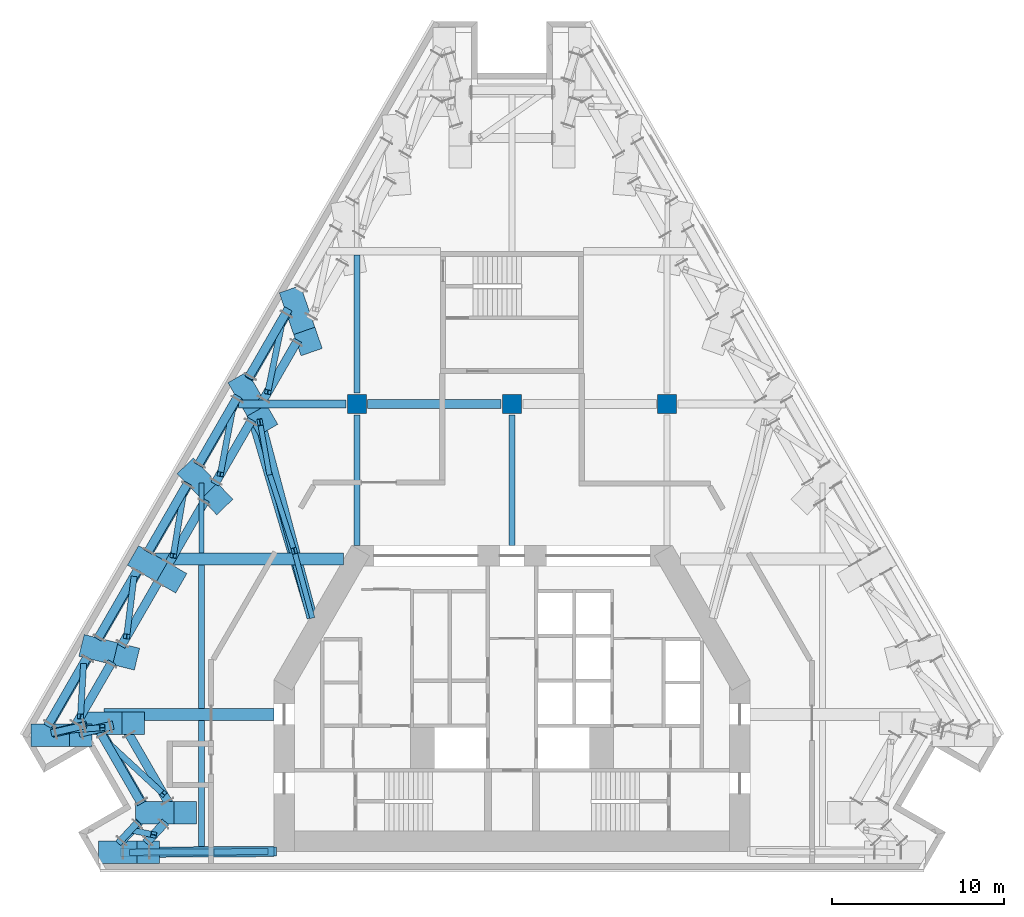
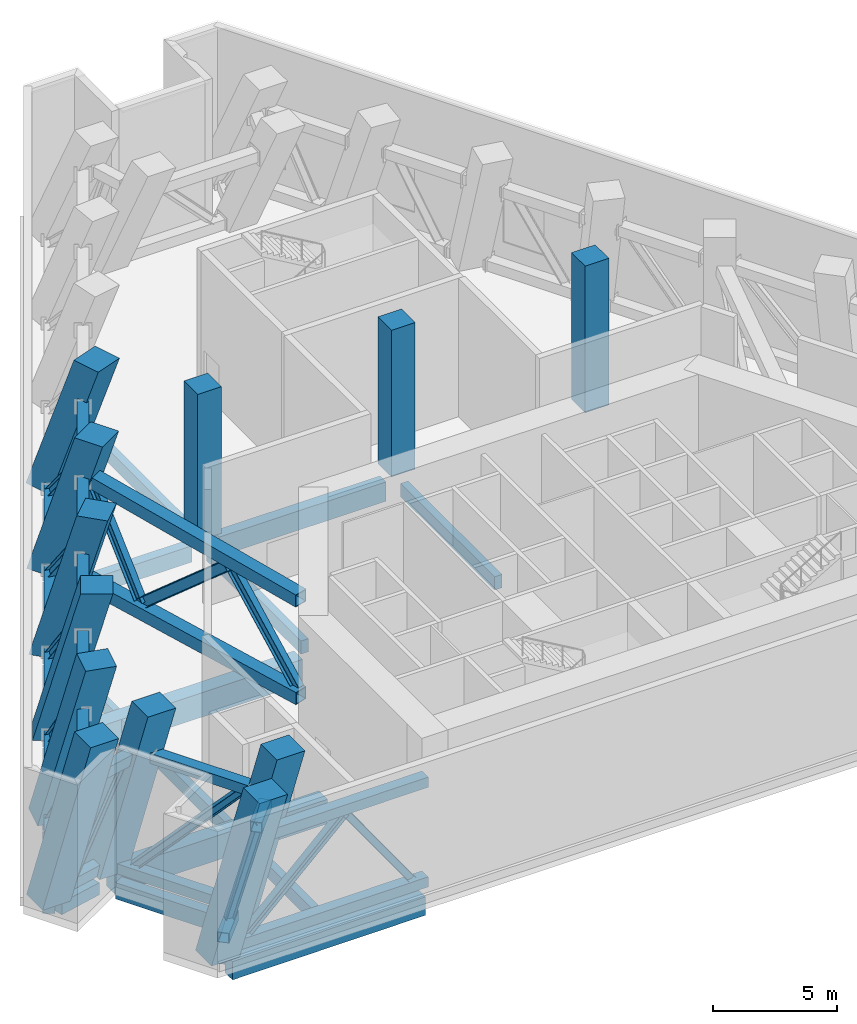
# One storey, part 1 of 13: 42 members, 19 beams, 3 columns.
"""IFC4 building model written with IfcOpenShell, lengths in metres."""

from ifc_helpers import new_model, si_unit, direction, frame, origin, origin_2d, place, context, subcontext, project, spatial, rectangle, hollow_rectangle, i_section, extrude, material, material_profile, profile_set, type_object, element, save


model = new_model("IFC4")

# Units and contexts
model_context = context("Model", 3, precision=1e-05, world=origin(), true_north=direction((0.0, 1.0)))
body_context = subcontext(model_context, "Body", "Model", "MODEL_VIEW")
ifc_project = project(units=[si_unit("LENGTHUNIT", "METRE"), si_unit("AREAUNIT", "SQUARE_METRE"), si_unit("VOLUMEUNIT", "CUBIC_METRE"), si_unit("PLANEANGLEUNIT", "RADIAN"), si_unit("MASSUNIT", "GRAM", prefix="KILO")], contexts=[model_context])

# Site, building, storey
site_placement = place(None, origin())
site = spatial("IfcSite", under=ifc_project, at=site_placement, CompositionType="ELEMENT")
building_placement = place(site_placement, origin())
building = spatial("IfcBuilding", under=site, at=building_placement, Name="Fogline Exchange Tower", CompositionType="ELEMENT")
storey_placement = place(building_placement, frame((0.0, 0.0, 174.89990234375)))
storey = spatial("IfcBuildingStorey", under=building, at=storey_placement, Name="L39", CompositionType="ELEMENT", Elevation=174.89990234375)

# Columns
ifc_material_1 = material(Name="Concrete C60", Category="concrete")
ifc_material_profile_1 = material_profile(ifc_material_1, rectangle(XDim=1.10009765625, YDim=1.10009765625, at=origin_2d()), Name="RC 1100x1100")
ifc_profile_set_1 = profile_set([ifc_material_profile_1], Name="Concrete C60")
column_type = type_object("IfcColumnType", Name="C05", PredefinedType="COLUMN", material=ifc_profile_set_1)
for number, where, z_axis, x_axis, name in (
    (1, (-9.0, 27.0, 0.0), (0.0, 0.0, 1.0), (1.0, 0.0, 0.0), "IC--9-27"),
    (2, (0.0, 27.0, 0.0), (0.0, 0.0, 1.0), (1.0, 0.0, 0.0), "IC-0-27"),
    (3, (9.0, 27.0, 0.0), (0.0, 0.0, 1.0), (1.0, 0.0, 0.0), "IC-9-27"),
):
    element("IfcColumn", number, at=place(storey_placement, frame(where, z_axis=z_axis, x_axis=x_axis)), inside=storey, type_object=column_type, Name=name, PredefinedType="COLUMN", context=body_context, shape_type="SweptSolid", body=[
        extrude(rectangle(XDim=1.10009765625, YDim=1.10009765625, at=origin_2d()), origin(), (0.0, 0.0, 1.0), 7.2001953125),
    ])

# Beams
ifc_material_2 = material(Name="Concrete C40", Category="concrete")
ifc_material_profile_2 = material_profile(ifc_material_2, rectangle(XDim=0.300048828125, YDim=0.60009765625, at=origin_2d()), Name="RC 300x600")
ifc_profile_set_2 = profile_set([ifc_material_profile_2], Name="Concrete C40")
beam_type_1 = type_object("IfcBeamType", Name="B06", PredefinedType="BEAM", material=ifc_profile_set_2)
beam_1_placement = place(storey_placement, frame((-18.0, 18.35009765625, -0.699951171875), z_axis=(0.0, 1.0, 0.0), x_axis=(-1.0, 0.0, 0.0)))
element("IfcBeam", 4, at=beam_1_placement, inside=storey, type_object=beam_type_1, Name="SB003", PredefinedType="BEAM", context=body_context, shape_type="SweptSolid", body=[
    extrude(rectangle(XDim=0.300048828125, YDim=0.60009765625, at=origin_2d()), origin(), (0.0, 0.0, 1.0), 4.070068359375),
])
ifc_material_profile_3 = material_profile(ifc_material_2, rectangle(XDim=0.60009765625, YDim=0.89990234375, at=origin_2d()), Name="RC 600x900")
ifc_profile_set_3 = profile_set([ifc_material_profile_3], Name="Concrete C40")
beam_type_2 = type_object("IfcBeamType", Name="B09", PredefinedType="BEAM", material=ifc_profile_set_3)
beam_2_placement = place(storey_placement, frame((-22.801513671875, 1.0, -0.849853515625), z_axis=(0.999984543136, 0.005559990001, 0.0), x_axis=(-0.005559990001, 0.999984543136, 0.0)))
element("IfcBeam", 5, at=beam_2_placement, inside=storey, type_object=beam_type_2, Name="RB004", PredefinedType="BEAM", context=body_context, shape_type="SweptSolid", body=[
    extrude(rectangle(XDim=0.60009765625, YDim=0.89990234375, at=origin_2d()), origin(), (0.0, 0.0, 1.0), 9.001708984375),
])
ifc_material_profile_4 = material_profile(ifc_material_2, rectangle(XDim=0.5, YDim=0.800048828125, at=origin_2d()), Name="RC 500x800")
ifc_profile_set_4 = profile_set([ifc_material_profile_4], Name="Concrete C40")
beam_type_3 = type_object("IfcBeamType", Name="B10", PredefinedType="BEAM", material=ifc_profile_set_4)
beam_3_placement = place(storey_placement, frame((-23.886474609375, 7.97021484375, -0.7998046875), z_axis=(0.499994660107, -0.866028486751, 0.0), x_axis=(0.866028486751, 0.499994660107, 0.0)))
element("IfcBeam", 6, at=beam_3_placement, inside=storey, type_object=beam_type_3, Name="RB002", PredefinedType="BEAM", context=body_context, shape_type="SweptSolid", body=[
    extrude(rectangle(XDim=0.5, YDim=0.800048828125, at=origin_2d()), origin(), (0.0, 0.0, 1.0), 4.78759765625),
])
for number, where, z_axis, x_axis, name in (
    (7, (-12.97314453125, 32.520751953125, -0.7998046875), (-0.500004591975, -0.86602275259, 0.0), (0.86602275259, -0.500004591975, 0.0), "RB023"),
    (8, (-15.888916015625, 27.470458984375, -0.7998046875), (-0.500004591975, -0.86602275259, 0.0), (0.86602275259, -0.500004591975, 0.0), "RB024"),
    (9, (-18.8046875, 22.420166015625, -0.7998046875), (-0.500004591975, -0.86602275259, 0.0), (0.86602275259, -0.500004591975, 0.0), "RB025"),
):
    element("IfcBeam", number, at=place(storey_placement, frame(where, z_axis=z_axis, x_axis=x_axis)), inside=storey, type_object=beam_type_3, Name=name, PredefinedType="BEAM", context=body_context, shape_type="SweptSolid", body=[
        extrude(rectangle(XDim=0.5, YDim=0.800048828125, at=origin_2d()), origin(), (0.0, 0.0, 1.0), 4.619140625),
    ])
for number, where, z_axis, x_axis, name in (
    (10, (-21.720458984375, 17.369873046875, -0.7998046875), (-0.499981705991, -0.866035965578, 0.0), (0.866035965578, -0.499981705991, 0.0), "RB026"),
    (11, (-24.63623046875, 12.319580078125, -0.7998046875), (-0.499981705991, -0.866035965578, 0.0), (0.866035965578, -0.499981705991, 0.0), "RB027"),
):
    element("IfcBeam", number, at=place(storey_placement, frame(where, z_axis=z_axis, x_axis=x_axis)), inside=storey, type_object=beam_type_3, Name=name, PredefinedType="BEAM", context=body_context, shape_type="SweptSolid", body=[
        extrude(rectangle(XDim=0.5, YDim=0.800048828125, at=origin_2d()), origin(), (0.0, 0.0, 1.0), 4.619384765625),
    ])
ifc_material_profile_5 = material_profile(ifc_material_2, rectangle(XDim=0.39990234375, YDim=0.60009765625, at=origin_2d()), Name="RC 400x600")
ifc_profile_set_5 = profile_set([ifc_material_profile_5], Name="Concrete C40")
beam_type_4 = type_object("IfcBeamType", Name="B11", PredefinedType="BEAM", material=ifc_profile_set_5)
beam_4_placement = place(storey_placement, frame((-26.72412109375, 7.91455078125, -0.699951171875), z_axis=(0.974739301343, 0.223345683676, 0.0), x_axis=(-0.223345683676, 0.974739301343, 0.0)))
element("IfcBeam", 12, at=beam_4_placement, inside=storey, type_object=beam_type_4, Name="RB001", PredefinedType="BEAM", context=body_context, shape_type="SweptSolid", body=[
    extrude(rectangle(XDim=0.39990234375, YDim=0.60009765625, at=origin_2d()), origin(), (0.0, 0.0, 1.0), 2.0615234375),
])
beam_5_placement = place(storey_placement, frame((-21.677490234375, 2.77392578125, -0.699951171875), z_axis=(-0.680791505026, -0.732477253357, 0.0), x_axis=(0.732477253357, -0.680791505026, 0.0)))
element("IfcBeam", 13, at=beam_5_placement, inside=storey, type_object=beam_type_4, Name="RB003", PredefinedType="BEAM", context=body_context, shape_type="SweptSolid", body=[
    extrude(rectangle(XDim=0.39990234375, YDim=0.60009765625, at=origin_2d()), origin(), (0.0, 0.0, 1.0), 1.705322265625),
])
ifc_material_profile_6 = material_profile(ifc_material_2, rectangle(XDim=0.5, YDim=0.949951171875, at=origin_2d()), Name="RC 500x950")
ifc_profile_set_6 = profile_set([ifc_material_profile_6], Name="Concrete C40")
beam_type_5 = type_object("IfcBeamType", Name="B14", PredefinedType="BEAM", material=ifc_profile_set_6)
beam_6_placement = place(storey_placement, frame((-8.375, 27.0, -0.875), z_axis=(1.0, 0.0, 0.0), x_axis=(0.0, 1.0, 0.0)))
element("IfcBeam", 14, at=beam_6_placement, inside=storey, type_object=beam_type_5, Name="GB006", PredefinedType="BEAM", context=body_context, shape_type="SweptSolid", body=[
    extrude(rectangle(XDim=0.5, YDim=0.949951171875, at=origin_2d()), origin(), (0.0, 0.0, 1.0), 7.75),
])
ifc_material_profile_7 = material_profile(ifc_material_2, rectangle(XDim=0.35009765625, YDim=0.64990234375, at=origin_2d()), Name="RC 350x650")
ifc_profile_set_7 = profile_set([ifc_material_profile_7], Name="Concrete C40")
beam_type_6 = type_object("IfcBeamType", Name="B16", PredefinedType="BEAM", material=ifc_profile_set_7)
beam_7_placement = place(storey_placement, frame((-18.0, 1.327880859375, -0.724853515625), z_axis=(0.0, 1.0, 0.0), x_axis=(-1.0, 0.0, 0.0)))
element("IfcBeam", 15, at=beam_7_placement, inside=storey, type_object=beam_type_6, Name="SB001", PredefinedType="BEAM", context=body_context, shape_type="SweptSolid", body=[
    extrude(rectangle(XDim=0.35009765625, YDim=0.64990234375, at=origin_2d()), origin(), (0.0, 0.0, 1.0), 7.322021484375),
])
beam_8_placement = place(storey_placement, frame((-18.0, 9.35009765625, -0.724853515625), z_axis=(0.0, 1.0, 0.0), x_axis=(-1.0, 0.0, 0.0)))
element("IfcBeam", 16, at=beam_8_placement, inside=storey, type_object=beam_type_6, Name="SB002", PredefinedType="BEAM", context=body_context, shape_type="SweptSolid", body=[
    extrude(rectangle(XDim=0.35009765625, YDim=0.64990234375, at=origin_2d()), origin(), (0.0, 0.0, 1.0), 8.2998046875),
])
beam_9_placement = place(storey_placement, frame((-9.0, 18.800048828125, -0.724853515625), z_axis=(0.0, 1.0, 0.0), x_axis=(-1.0, 0.0, 0.0)))
element("IfcBeam", 17, at=beam_9_placement, inside=storey, type_object=beam_type_6, Name="SB004", PredefinedType="BEAM", context=body_context, shape_type="SweptSolid", body=[
    extrude(rectangle(XDim=0.35009765625, YDim=0.64990234375, at=origin_2d()), origin(), (0.0, 0.0, 1.0), 7.574951171875),
])
beam_10_placement = place(storey_placement, frame((-9.0, 27.625, -0.724853515625), z_axis=(0.0, 1.0, 0.0), x_axis=(-1.0, 0.0, 0.0)))
element("IfcBeam", 18, at=beam_10_placement, inside=storey, type_object=beam_type_6, Name="SB005", PredefinedType="BEAM", context=body_context, shape_type="SweptSolid", body=[
    extrude(rectangle(XDim=0.35009765625, YDim=0.64990234375, at=origin_2d()), origin(), (0.0, 0.0, 1.0), 8.007080078125),
])
beam_11_placement = place(storey_placement, frame((0.0, 18.800048828125, -0.724853515625), z_axis=(0.0, 1.0, 0.0), x_axis=(-1.0, 0.0, 0.0)))
element("IfcBeam", 19, at=beam_11_placement, inside=storey, type_object=beam_type_6, Name="SB007", PredefinedType="BEAM", context=body_context, shape_type="SweptSolid", body=[
    extrude(rectangle(XDim=0.35009765625, YDim=0.64990234375, at=origin_2d()), origin(), (0.0, 0.0, 1.0), 7.574951171875),
])
ifc_material_profile_8 = material_profile(ifc_material_2, rectangle(XDim=0.699951171875, YDim=1.199951171875, at=origin_2d()), Name="RC 700x1200")
ifc_profile_set_8 = profile_set([ifc_material_profile_8], Name="Concrete C40")
beam_type_7 = type_object("IfcBeamType", Name="B17", PredefinedType="BEAM", material=ifc_profile_set_8)
beam_12_placement = place(storey_placement, frame((-23.66455078125, 9.0, -1.0), z_axis=(1.0, 0.0, 0.0), x_axis=(0.0, 1.0, 0.0)))
element("IfcBeam", 20, at=beam_12_placement, inside=storey, type_object=beam_type_7, Name="GB001", PredefinedType="BEAM", context=body_context, shape_type="SweptSolid", body=[
    extrude(rectangle(XDim=0.699951171875, YDim=1.199951171875, at=origin_2d()), origin(), (0.0, 0.0, 1.0), 9.864501953125),
])
beam_13_placement = place(storey_placement, frame((-20.892333984375, 18.0, -1.0), z_axis=(1.0, 0.0, 0.0), x_axis=(0.0, 1.0, 0.0)))
element("IfcBeam", 21, at=beam_13_placement, inside=storey, type_object=beam_type_7, Name="GB003", PredefinedType="BEAM", context=body_context, shape_type="SweptSolid", body=[
    extrude(rectangle(XDim=0.699951171875, YDim=1.199951171875, at=origin_2d()), origin(), (0.0, 0.0, 1.0), 11.13427734375),
])
ifc_material_profile_9 = material_profile(ifc_material_2, rectangle(XDim=0.449951171875, YDim=0.800048828125, at=origin_2d()), Name="RC 450x800")
ifc_profile_set_9 = profile_set([ifc_material_profile_9], Name="Concrete C40")
beam_type_8 = type_object("IfcBeamType", Name="B18", PredefinedType="BEAM", material=ifc_profile_set_9)
beam_14_placement = place(storey_placement, frame((-15.871826171875, 27.0, -0.7998046875), z_axis=(1.0, 0.0, 0.0), x_axis=(0.0, 1.0, 0.0)))
element("IfcBeam", 22, at=beam_14_placement, inside=storey, type_object=beam_type_8, Name="GB005", PredefinedType="BEAM", context=body_context, shape_type="SweptSolid", body=[
    extrude(rectangle(XDim=0.449951171875, YDim=0.800048828125, at=origin_2d()), origin(), (0.0, 0.0, 1.0), 6.246826171875),
])

# Members
ifc_material_3 = material(Name="Steel Q355B", Category="steel")
ifc_material_profile_10 = material_profile(ifc_material_3, hollow_rectangle(XDim=0.5, YDim=0.5, WallThickness=0.02490234375, at=origin_2d()), Name="BOX500X500X25")
ifc_profile_set_10 = profile_set([ifc_material_profile_10], Name="Steel Q355B")
member_type_1 = type_object("IfcMemberType", Name="M05", PredefinedType="CHORD", material=ifc_profile_set_10)
for number, where, z_axis, x_axis, name in (
    (23, (-26.63720703125, 7.916748046875, 0.25), (0.974748583567, 0.223305169745, 0.0), (-0.223305169745, 0.974748583567, 0.0), "Belt truss chord BT1-1-BC"),
    (24, (-25.116455078125, 7.916748046875, 5.150146484375), (0.974748583567, 0.223305169745, 0.0), (-0.223305169745, 0.974748583567, 0.0), "Belt truss chord BT1-1-TC"),
):
    element("IfcMember", number, at=place(storey_placement, frame(where, z_axis=z_axis, x_axis=x_axis)), inside=storey, type_object=member_type_1, Name=name, PredefinedType="CHORD", context=body_context, shape_type="SweptSolid", body=[
        extrude(hollow_rectangle(XDim=0.5, YDim=0.5, WallThickness=0.02490234375, at=origin_2d()), origin(), (0.0, 0.0, 1.0), 2.042236328125),
    ])
for number, where, z_axis, x_axis, name in (
    (25, (-23.811767578125, 7.97509765625, 0.25), (0.499991085587, -0.866030550462, 0.0), (0.866030550462, 0.499991085587, 0.0), "Belt truss chord BT2-1-BC"),
    (26, (-22.291015625, 7.97509765625, 5.150146484375), (0.499991085587, -0.866030550462, 0.0), (0.866030550462, 0.499991085587, 0.0), "Belt truss chord BT2-1-TC"),
):
    element("IfcMember", number, at=place(storey_placement, frame(where, z_axis=z_axis, x_axis=x_axis)), inside=storey, type_object=member_type_1, Name=name, PredefinedType="CHORD", context=body_context, shape_type="SweptSolid", body=[
        extrude(hollow_rectangle(XDim=0.5, YDim=0.5, WallThickness=0.02490234375, at=origin_2d()), origin(), (0.0, 0.0, 1.0), 4.798828125),
    ])
for number, where, z_axis, x_axis, name in (
    (27, (-21.614013671875, 2.7587890625, 0.25), (-0.680811200707, -0.732458946967, 0.0), (0.732458946967, -0.680811200707, 0.0), "Belt truss chord BT3-1-BC"),
    (28, (-20.093505859375, 2.7587890625, 5.150146484375), (-0.680811200707, -0.732458946967, 0.0), (0.732458946967, -0.680811200707, 0.0), "Belt truss chord BT3-1-TC"),
):
    element("IfcMember", number, at=place(storey_placement, frame(where, z_axis=z_axis, x_axis=x_axis)), inside=storey, type_object=member_type_1, Name=name, PredefinedType="CHORD", context=body_context, shape_type="SweptSolid", body=[
        extrude(hollow_rectangle(XDim=0.5, YDim=0.5, WallThickness=0.02490234375, at=origin_2d()), origin(), (0.0, 0.0, 1.0), 1.663818359375),
    ])
member_1_placement = place(storey_placement, frame((-22.71826171875, 0.9990234375, 0.25), z_axis=(0.999983712525, 0.005707423731, 0.0), x_axis=(-0.005707423731, 0.999983712525, 0.0)))
element("IfcMember", 29, at=member_1_placement, inside=storey, type_object=member_type_1, Name="Belt truss chord BT4-1-BC", PredefinedType="CHORD", context=body_context, shape_type="SweptSolid", body=[
    extrude(hollow_rectangle(XDim=0.5, YDim=0.5, WallThickness=0.02490234375, at=origin_2d()), origin(), (0.0, 0.0, 1.0), 9.068603515625),
])
member_2_placement = place(storey_placement, frame((-21.197509765625, 0.9990234375, 5.150146484375), z_axis=(0.999976265764, 0.006889695766, 0.0), x_axis=(-0.006889695766, 0.999976265764, 0.0)))
element("IfcMember", 30, at=member_2_placement, inside=storey, type_object=member_type_1, Name="Belt truss chord BT4-1-TC", PredefinedType="CHORD", context=body_context, shape_type="SweptSolid", body=[
    extrude(hollow_rectangle(XDim=0.5, YDim=0.5, WallThickness=0.02490234375, at=origin_2d()), origin(), (0.0, 0.0, 1.0), 7.5478515625),
])
member_3_placement = place(storey_placement, frame((-12.995849609375, 32.346923828125, 0.25), z_axis=(-0.500011939689, -0.866018510292, 0.0), x_axis=(0.866018510292, -0.500011939689, 0.0)))
element("IfcMember", 31, at=member_3_placement, inside=storey, type_object=member_type_1, Name="Belt truss chord BT22-1-BC", PredefinedType="CHORD", context=body_context, shape_type="SweptSolid", body=[
    extrude(hollow_rectangle(XDim=0.5, YDim=0.5, WallThickness=0.02490234375, at=origin_2d()), origin(), (0.0, 0.0, 1.0), 4.501953125),
])
member_4_placement = place(storey_placement, frame((-12.425537109375, 30.700927734375, 5.150146484375), z_axis=(-0.500050602368, -0.865996186522, 0.0), x_axis=(0.865996186522, -0.500050602368, 0.0)))
element("IfcMember", 32, at=member_4_placement, inside=storey, type_object=member_type_1, Name="Belt truss chord BT22-1-TC", PredefinedType="CHORD", context=body_context, shape_type="SweptSolid", body=[
    extrude(hollow_rectangle(XDim=0.5, YDim=0.5, WallThickness=0.02490234375, at=origin_2d()), origin(), (0.0, 0.0, 1.0), 4.12158203125),
])
member_5_placement = place(storey_placement, frame((-15.847412109375, 27.408203125, 0.25), z_axis=(-0.499978056798, -0.866038072327, 0.0), x_axis=(0.866038072327, -0.499978056798, 0.0)))
element("IfcMember", 33, at=member_5_placement, inside=storey, type_object=member_type_1, Name="Belt truss chord BT23-1-BC", PredefinedType="CHORD", context=body_context, shape_type="SweptSolid", body=[
    extrude(hollow_rectangle(XDim=0.5, YDim=0.5, WallThickness=0.02490234375, at=origin_2d()), origin(), (0.0, 0.0, 1.0), 4.685302734375),
])
member_6_placement = place(storey_placement, frame((-15.0869140625, 26.09130859375, 5.150146484375), z_axis=(-0.500012080849, -0.866018428791, 0.0), x_axis=(0.866018428791, -0.500012080849, 0.0)))
element("IfcMember", 34, at=member_6_placement, inside=storey, type_object=member_type_1, Name="Belt truss chord BT23-1-TC", PredefinedType="CHORD", context=body_context, shape_type="SweptSolid", body=[
    extrude(hollow_rectangle(XDim=0.5, YDim=0.5, WallThickness=0.02490234375, at=origin_2d()), origin(), (0.0, 0.0, 1.0), 4.30517578125),
])
member_7_placement = place(storey_placement, frame((-18.71630859375, 22.438720703125, 0.25), z_axis=(-0.499996243911, -0.866027572353, 0.0), x_axis=(0.866027572353, -0.499996243911, 0.0)))
element("IfcMember", 35, at=member_7_placement, inside=storey, type_object=member_type_1, Name="Belt truss chord BT24-1-BC", PredefinedType="CHORD", context=body_context, shape_type="SweptSolid", body=[
    extrude(hollow_rectangle(XDim=0.5, YDim=0.5, WallThickness=0.02490234375, at=origin_2d()), origin(), (0.0, 0.0, 1.0), 4.78564453125),
])
member_8_placement = place(storey_placement, frame((-17.76611328125, 21.451171875, 5.150146484375), z_axis=(-0.499965502695, -0.866045319897, 0.0), x_axis=(0.866045319897, -0.499965502695, 0.0)))
element("IfcMember", 36, at=member_8_placement, inside=storey, type_object=member_type_1, Name="Belt truss chord BT24-1-TC", PredefinedType="CHORD", context=body_context, shape_type="SweptSolid", body=[
    extrude(hollow_rectangle(XDim=0.5, YDim=0.5, WallThickness=0.02490234375, at=origin_2d()), origin(), (0.0, 0.0, 1.0), 4.405517578125),
])
member_9_placement = place(storey_placement, frame((-21.609130859375, 17.42822265625, 0.25), z_axis=(-0.500034503753, -0.866005482117, 0.0), x_axis=(0.866005482117, -0.500034503753, 0.0)))
element("IfcMember", 37, at=member_9_placement, inside=storey, type_object=member_type_1, Name="Belt truss chord BT25-1-BC", PredefinedType="CHORD", context=body_context, shape_type="SweptSolid", body=[
    extrude(hollow_rectangle(XDim=0.5, YDim=0.5, WallThickness=0.02490234375, at=origin_2d()), origin(), (0.0, 0.0, 1.0), 4.785888671875),
])
member_10_placement = place(storey_placement, frame((-20.46875, 16.769775390625, 5.150146484375), z_axis=(-0.499989498495, -0.866031466746, 0.0), x_axis=(0.866031466746, -0.499989498495, 0.0)))
element("IfcMember", 38, at=member_10_placement, inside=storey, type_object=member_type_1, Name="Belt truss chord BT25-1-TC", PredefinedType="CHORD", context=body_context, shape_type="SweptSolid", body=[
    extrude(hollow_rectangle(XDim=0.5, YDim=0.5, WallThickness=0.02490234375, at=origin_2d()), origin(), (0.0, 0.0, 1.0), 4.4052734375),
])
member_11_placement = place(storey_placement, frame((-24.528564453125, 12.37158203125, 0.25), z_axis=(-0.500000620493, -0.866025045542, 0.0), x_axis=(0.866025045542, -0.500000620493, 0.0)))
element("IfcMember", 39, at=member_11_placement, inside=storey, type_object=member_type_1, Name="Belt truss chord BT26-1-BC", PredefinedType="CHORD", context=body_context, shape_type="SweptSolid", body=[
    extrude(hollow_rectangle(XDim=0.5, YDim=0.5, WallThickness=0.02490234375, at=origin_2d()), origin(), (0.0, 0.0, 1.0), 4.68505859375),
])
member_12_placement = place(storey_placement, frame((-23.197998046875, 12.04248046875, 5.150146484375), z_axis=(-0.500012080849, -0.866018428791, 0.0), x_axis=(0.866018428791, -0.500012080849, 0.0)))
element("IfcMember", 40, at=member_12_placement, inside=storey, type_object=member_type_1, Name="Belt truss chord BT26-1-TC", PredefinedType="CHORD", context=body_context, shape_type="SweptSolid", body=[
    extrude(hollow_rectangle(XDim=0.5, YDim=0.5, WallThickness=0.02490234375, at=origin_2d()), origin(), (0.0, 0.0, 1.0), 4.30517578125),
])
ifc_material_profile_11 = material_profile(ifc_material_3, i_section(OverallWidth=0.35009765625, OverallDepth=0.35009765625, WebThickness=0.011962890625, FlangeThickness=0.01904296875, FilletRadius=0.02001953125, at=origin_2d()), Name="HW350X350X12X19")
ifc_profile_set_11 = profile_set([ifc_material_profile_11], Name="Steel Q355B")
member_type_2 = type_object("IfcMemberType", Name="M06", PredefinedType="BRACE", material=ifc_profile_set_11)
member_13_placement = place(storey_placement, frame((-26.00341796875, 8.061767578125, 0.5), z_axis=(0.454041802148, 0.033543072969, 0.890348754229), x_axis=(-0.073675839677, 0.99728224222, 0.0)))
element("IfcMember", 41, at=member_13_placement, inside=storey, type_object=member_type_2, Name="Belt truss diagonal BT1-1-D1", PredefinedType="BRACE", context=body_context, shape_type="SweptSolid", body=[
    extrude(i_section(OverallWidth=0.35009765625, OverallDepth=0.35009765625, WebThickness=0.011962890625, FlangeThickness=0.01904296875, FilletRadius=0.02001953125, at=origin_2d()), origin(), (0.0, 0.0, 1.0), 4.942138671875),
])
member_14_placement = place(storey_placement, frame((-23.48681640625, 7.412109375, 0.5), z_axis=(0.522049081002, -0.483735340027, 0.702470553001), x_axis=(0.679677721219, 0.73351086923, 0.0)))
element("IfcMember", 42, at=member_14_placement, inside=storey, type_object=member_type_2, Name="Belt truss diagonal BT2-1-D1", PredefinedType="BRACE", context=body_context, shape_type="SweptSolid", body=[
    extrude(i_section(OverallWidth=0.35009765625, OverallDepth=0.35009765625, WebThickness=0.011962890625, FlangeThickness=0.01904296875, FilletRadius=0.02001953125, at=origin_2d()), origin(), (0.0, 0.0, 1.0), 6.263916015625),
])
member_15_placement = place(storey_placement, frame((-22.056396484375, 2.28271484375, 0.5), z_axis=(0.277382855159, -0.058105136741, 0.959000805395), x_axis=(0.205026292109, 0.978756465902, 0.0)))
element("IfcMember", 43, at=member_15_placement, inside=storey, type_object=member_type_2, Name="Belt truss diagonal BT3-1-D1", PredefinedType="BRACE", context=body_context, shape_type="SweptSolid", body=[
    extrude(i_section(OverallWidth=0.35009765625, OverallDepth=0.35009765625, WebThickness=0.011962890625, FlangeThickness=0.01904296875, FilletRadius=0.02001953125, at=origin_2d()), origin(), (0.0, 0.0, 1.0), 4.58837890625),
])
member_16_placement = place(storey_placement, frame((-22.068115234375, 1.0029296875, 0.5), z_axis=(0.725925338684, 0.003434436234, 0.687764936083), x_axis=(-0.004731062018, 0.999988808463, 0.0)))
element("IfcMember", 44, at=member_16_placement, inside=storey, type_object=member_type_2, Name="Belt truss diagonal BT4-1-D1", PredefinedType="BRACE", context=body_context, shape_type="SweptSolid", body=[
    extrude(i_section(OverallWidth=0.35009765625, OverallDepth=0.35009765625, WebThickness=0.011962890625, FlangeThickness=0.01904296875, FilletRadius=0.02001953125, at=origin_2d()), origin(), (0.0, 0.0, 1.0), 6.397705078125),
])
member_17_placement = place(storey_placement, frame((-17.423828125, 1.02490234375, 4.900146484375), z_axis=(0.578877006328, 0.004117061944, -0.815404477143), x_axis=(-0.007111973316, 0.999974709598, 0.0)))
element("IfcMember", 45, at=member_17_placement, inside=storey, type_object=member_type_2, Name="Belt truss diagonal BT4-1-D2", PredefinedType="BRACE", context=body_context, shape_type="SweptSolid", body=[
    extrude(i_section(OverallWidth=0.35009765625, OverallDepth=0.35009765625, WebThickness=0.011962890625, FlangeThickness=0.01904296875, FilletRadius=0.02001953125, at=origin_2d()), origin(), (0.0, 0.0, 1.0), 5.396240234375),
])
member_18_placement = place(storey_placement, frame((-13.32080078125, 31.7841796875, 0.5), z_axis=(-0.138614371881, -0.674235760088, 0.725391063997), x_axis=(0.979514068313, -0.201375743271, 0.0)))
element("IfcMember", 46, at=member_18_placement, inside=storey, type_object=member_type_2, Name="Belt truss diagonal BT22-1-D1", PredefinedType="BRACE", context=body_context, shape_type="SweptSolid", body=[
    extrude(i_section(OverallWidth=0.35009765625, OverallDepth=0.35009765625, WebThickness=0.011962890625, FlangeThickness=0.01904296875, FilletRadius=0.02001953125, at=origin_2d()), origin(), (0.0, 0.0, 1.0), 6.06591796875),
])
member_19_placement = place(storey_placement, frame((-16.17236328125, 26.84521484375, 0.5), z_axis=(-0.124967620628, -0.659903030901, 0.740885337689), x_axis=(0.98253729653, -0.186065743565, 0.0)))
element("IfcMember", 47, at=member_19_placement, inside=storey, type_object=member_type_2, Name="Belt truss diagonal BT23-1-D1", PredefinedType="BRACE", context=body_context, shape_type="SweptSolid", body=[
    extrude(i_section(OverallWidth=0.35009765625, OverallDepth=0.35009765625, WebThickness=0.011962890625, FlangeThickness=0.01904296875, FilletRadius=0.02001953125, at=origin_2d()), origin(), (0.0, 0.0, 1.0), 5.93896484375),
])
member_20_placement = place(storey_placement, frame((-19.04150390625, 21.875732421875, 0.5), z_axis=(-0.104459996436, -0.637726796242, 0.763146540646), x_axis=(0.986848749063, -0.161646362389, 0.0)))
element("IfcMember", 48, at=member_20_placement, inside=storey, type_object=member_type_2, Name="Belt truss diagonal BT24-1-D1", PredefinedType="BRACE", context=body_context, shape_type="SweptSolid", body=[
    extrude(i_section(OverallWidth=0.35009765625, OverallDepth=0.35009765625, WebThickness=0.011962890625, FlangeThickness=0.01904296875, FilletRadius=0.02001953125, at=origin_2d()), origin(), (0.0, 0.0, 1.0), 5.765869140625),
])
member_21_placement = place(storey_placement, frame((-21.93408203125, 16.865234375, 0.5), z_axis=(-0.074373711462, -0.603840559665, 0.793627828108), x_axis=(0.992500071981, -0.122244047369, 0.0)))
element("IfcMember", 49, at=member_21_placement, inside=storey, type_object=member_type_2, Name="Belt truss diagonal BT25-1-D1", PredefinedType="BRACE", context=body_context, shape_type="SweptSolid", body=[
    extrude(i_section(OverallWidth=0.35009765625, OverallDepth=0.35009765625, WebThickness=0.011962890625, FlangeThickness=0.01904296875, FilletRadius=0.02001953125, at=origin_2d()), origin(), (0.0, 0.0, 1.0), 5.54443359375),
])
member_22_placement = place(storey_placement, frame((-24.853515625, 11.808837890625, 0.5), z_axis=(-0.032489824407, -0.554173027674, 0.831767195018), x_axis=(0.998285821047, -0.058527083446, 0.0)))
element("IfcMember", 50, at=member_22_placement, inside=storey, type_object=member_type_2, Name="Belt truss diagonal BT26-1-D1", PredefinedType="BRACE", context=body_context, shape_type="SweptSolid", body=[
    extrude(i_section(OverallWidth=0.35009765625, OverallDepth=0.35009765625, WebThickness=0.011962890625, FlangeThickness=0.01904296875, FilletRadius=0.02001953125, at=origin_2d()), origin(), (0.0, 0.0, 1.0), 5.2900390625),
])
ifc_material_profile_12 = material_profile(ifc_material_3, hollow_rectangle(XDim=0.60009765625, YDim=0.60009765625, WallThickness=0.030029296875, at=origin_2d()), Name="BOX600X600X30")
ifc_profile_set_12 = profile_set([ifc_material_profile_12], Name="Steel Q355B")
member_type_3 = type_object("IfcMemberType", Name="M07", PredefinedType="CHORD", material=ifc_profile_set_12)
member_23_placement = place(storey_placement, frame((-11.58447265625, 14.618408203125, 0.300048828125), z_axis=(-0.285090857903, 0.958500496995, 0.0), x_axis=(-0.958500496995, -0.285090857903, 0.0)))
element("IfcMember", 51, at=member_23_placement, inside=storey, type_object=member_type_3, Name="Outrigger chord OR-W-1-BC", PredefinedType="CHORD", context=body_context, shape_type="SweptSolid", body=[
    extrude(hollow_rectangle(XDim=0.60009765625, YDim=0.60009765625, WallThickness=0.030029296875, at=origin_2d()), origin(), (0.0, 0.0, 1.0), 13.322509765625),
])
member_24_placement = place(storey_placement, frame((-11.59423828125, 14.607666015625, 5.10009765625), z_axis=(-0.257331383536, 0.966323216655, 0.0), x_axis=(-0.966323216655, -0.257331383536, 0.0)))
element("IfcMember", 52, at=member_24_placement, inside=storey, type_object=member_type_3, Name="Outrigger chord OR-W-1-TC", PredefinedType="CHORD", context=body_context, shape_type="SweptSolid", body=[
    extrude(hollow_rectangle(XDim=0.60009765625, YDim=0.60009765625, WallThickness=0.030029296875, at=origin_2d()), origin(), (0.0, 0.0, 1.0), 11.881103515625),
])
ifc_material_profile_13 = material_profile(ifc_material_3, i_section(OverallWidth=0.300048828125, OverallDepth=0.488037109375, WebThickness=0.010986328125, FlangeThickness=0.01806640625, FilletRadius=0.02587890625, at=origin_2d()), Name="HM488X300X11X18")
ifc_profile_set_13 = profile_set([ifc_material_profile_13], Name="Steel Q355B")
member_type_4 = type_object("IfcMemberType", Name="M08", PredefinedType="BRACE", material=ifc_profile_set_13)
member_25_placement = place(storey_placement, frame((-11.627197265625, 14.76220703125, 0.60009765625), z_axis=(-0.175290823038, 0.652842654717, 0.73693255834), x_axis=(-0.965791755008, -0.259318888549, 0.0)))
element("IfcMember", 53, at=member_25_placement, inside=storey, type_object=member_type_4, Name="Outrigger brace OR-W-1-D1", PredefinedType="BRACE", context=body_context, shape_type="SweptSolid", body=[
    extrude(i_section(OverallWidth=0.300048828125, OverallDepth=0.488037109375, WebThickness=0.010986328125, FlangeThickness=0.01806640625, FilletRadius=0.02587890625, at=origin_2d()), origin(), (0.0, 0.0, 1.0), 5.69921875),
])
member_26_placement = place(storey_placement, frame((-12.626220703125, 18.48291015625, 4.800048828125), z_axis=(-0.230569687382, 0.718633011747, -0.656051990081), x_axis=(-0.952190358174, -0.305505354782, 0.0)))
element("IfcMember", 54, at=member_26_placement, inside=storey, type_object=member_type_4, Name="Outrigger brace OR-W-1-D2", PredefinedType="BRACE", context=body_context, shape_type="SweptSolid", body=[
    extrude(i_section(OverallWidth=0.300048828125, OverallDepth=0.488037109375, WebThickness=0.010986328125, FlangeThickness=0.01806640625, FilletRadius=0.02587890625, at=origin_2d()), origin(), (0.0, 0.0, 1.0), 6.40185546875),
])
member_27_placement = place(storey_placement, frame((-14.102294921875, 23.08349609375, 0.60009765625), z_axis=(-0.10000976982, 0.560045149828, 0.822403475245), x_axis=(-0.984427056151, -0.17579354686, 0.0)))
element("IfcMember", 55, at=member_27_placement, inside=storey, type_object=member_type_4, Name="Outrigger brace OR-W-1-D3", PredefinedType="BRACE", context=body_context, shape_type="SweptSolid", body=[
    extrude(i_section(OverallWidth=0.300048828125, OverallDepth=0.488037109375, WebThickness=0.010986328125, FlangeThickness=0.01806640625, FilletRadius=0.02587890625, at=origin_2d()), origin(), (0.0, 0.0, 1.0), 5.10693359375),
])
ifc_material_profile_14 = material_profile(ifc_material_1, rectangle(XDim=1.300048828125, YDim=1.300048828125, at=origin_2d()), Name="RC 1300x1300")
ifc_profile_set_14 = profile_set([ifc_material_profile_14], Name="Concrete C60")
member_type_5 = type_object("IfcMemberType", Name="RP02", PredefinedType="POST", material=ifc_profile_set_14)
for number, where, z_axis, x_axis, name in (
    (56, (-27.2490234375, 7.794189453125, 0.0), (0.0, 0.0, 1.0), (0.0, 1.0, 0.0), "SW-a"),
    (57, (-24.189697265625, 8.4951171875, 0.0), (0.0, 0.0, 1.0), (0.0, 1.0, 0.0), "SW-p4"),
    (58, (-21.189697265625, 3.299072265625, 0.0), (0.0, 0.0, 1.0), (0.0, 1.0, 0.0), "SW-p3"),
    (59, (-23.326416015625, 1.0, 0.0), (0.0, 0.0, 1.0), (0.0, 1.0, 0.0), "SW-b"),
):
    element("IfcMember", number, at=place(storey_placement, frame(where, z_axis=z_axis, x_axis=x_axis)), inside=storey, type_object=member_type_5, Name=name, PredefinedType="POST", context=body_context, shape_type="SweptSolid", body=[
        extrude(rectangle(XDim=1.300048828125, YDim=1.300048828125, at=origin_2d()), origin(), (0.0, -0.296378843059, 0.95507045886), 7.538818359375),
    ])
member_28_placement = place(storey_placement, frame((-12.669921875, 33.045654296875, 0.0), z_axis=(0.0, 0.0, 1.0), x_axis=(0.944937301569, 0.327251426434, 0.0)))
element("IfcMember", 60, at=member_28_placement, inside=storey, type_object=member_type_5, Name="W3", PredefinedType="POST", context=body_context, shape_type="SweptSolid", body=[
    extrude(rectangle(XDim=1.300048828125, YDim=1.300048828125, at=origin_2d()), origin(), (0.0, -0.334960004734, 0.942232346732), 7.6416015625),
])
member_29_placement = place(storey_placement, frame((-15.585693359375, 27.995361328125, 0.0), z_axis=(0.0, 0.0, 1.0), x_axis=(0.866076416361, 0.499911633214, 0.0)))
element("IfcMember", 61, at=member_29_placement, inside=storey, type_object=member_type_5, Name="W4", PredefinedType="POST", context=body_context, shape_type="SweptSolid", body=[
    extrude(rectangle(XDim=1.300048828125, YDim=1.300048828125, at=origin_2d()), origin(), (0.0, -0.296367541155, 0.95507396601), 7.538818359375),
])
member_30_placement = place(storey_placement, frame((-18.501708984375, 22.945068359375, 0.0), z_axis=(0.0, 0.0, 1.0), x_axis=(0.720553474381, 0.693399373058, 0.0)))
element("IfcMember", 62, at=member_30_placement, inside=storey, type_object=member_type_5, Name="W5", PredefinedType="POST", context=body_context, shape_type="SweptSolid", body=[
    extrude(rectangle(XDim=1.300048828125, YDim=1.300048828125, at=origin_2d()), origin(), (0.0, -0.269371149312, 0.963036439559), 7.4765625),
])
member_31_placement = place(storey_placement, frame((-21.41748046875, 17.894775390625, 0.0), z_axis=(0.0, 0.0, 1.0), x_axis=(0.500006411147, 0.866021702275, 0.0)))
element("IfcMember", 63, at=member_31_placement, inside=storey, type_object=member_type_5, Name="W6", PredefinedType="POST", context=body_context, shape_type="SweptSolid", body=[
    extrude(rectangle(XDim=1.300048828125, YDim=1.300048828125, at=origin_2d()), origin(), (0.0, -0.259538192668, 0.965732844293), 7.45556640625),
])
member_32_placement = place(storey_placement, frame((-24.333251953125, 12.844482421875, 0.0), z_axis=(0.0, 0.0, 1.0), x_axis=(0.240138986151, 0.970738516456, 0.0)))
element("IfcMember", 64, at=member_32_placement, inside=storey, type_object=member_type_5, Name="W7", PredefinedType="POST", context=body_context, shape_type="SweptSolid", body=[
    extrude(rectangle(XDim=1.300048828125, YDim=1.300048828125, at=origin_2d()), origin(), (0.0, -0.269376452332, 0.963034956234), 7.4765625),
])

save(model, "model.ifc")
